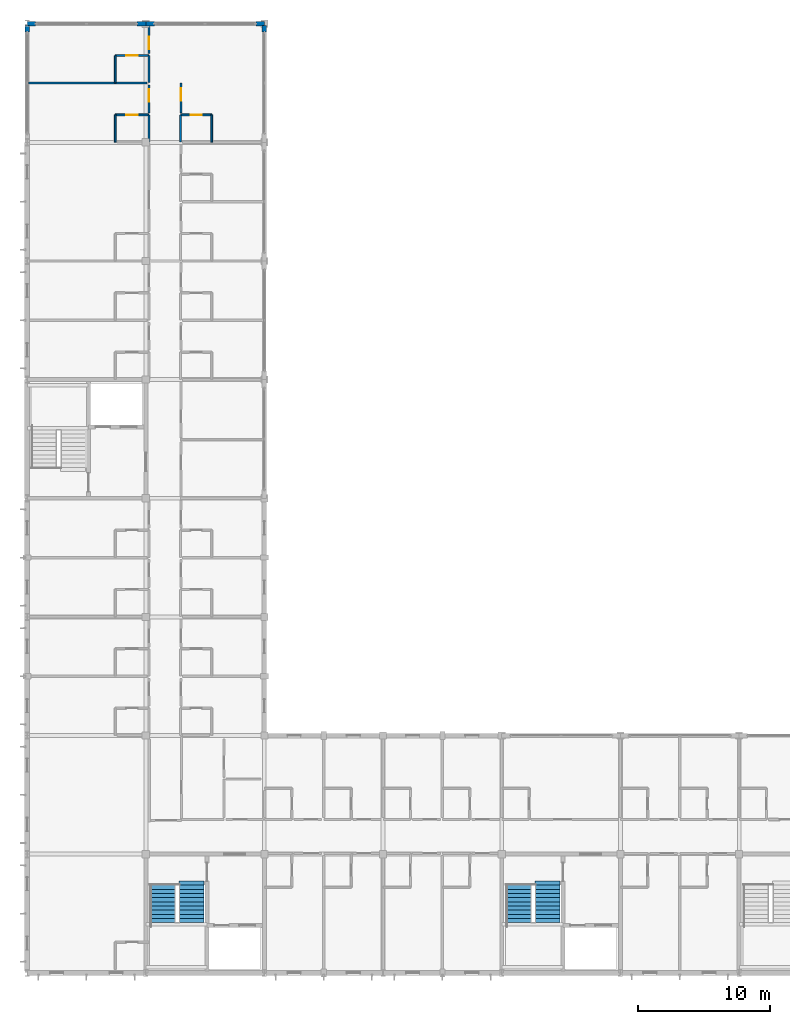
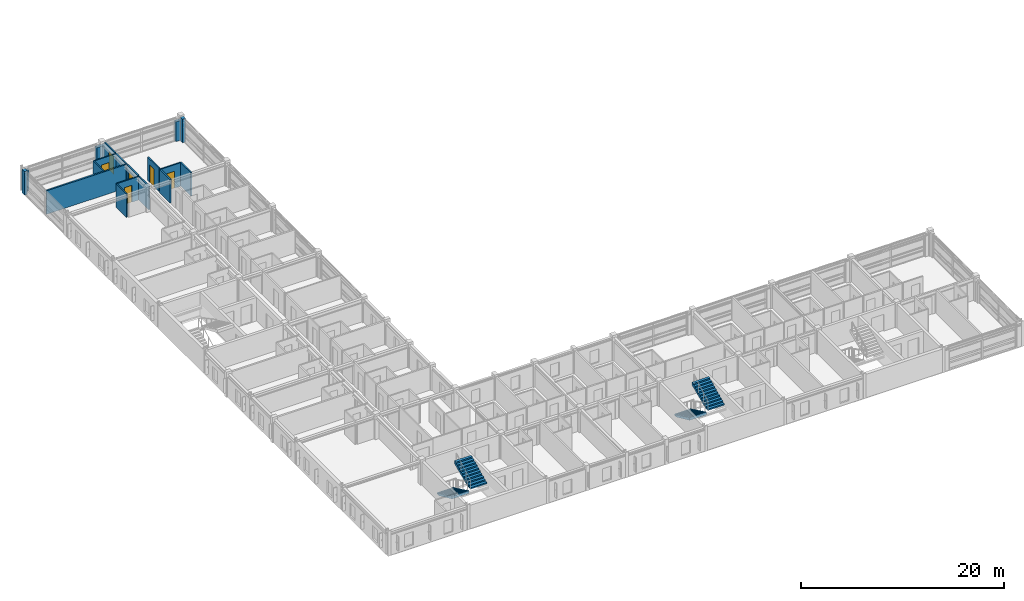
# One storey, part 22 of 30: 19 walls, 6 doors, 4 stair flights, 6 openings, 2 elements without a shape of their own.
"""IFC4 building model written with IfcOpenShell, lengths in metres."""

from ifc_helpers import new_model, si_unit, direction, frame, frame_2d, origin, place, context, subcontext, project, spatial, polyline, rectangle, outline, extrude, material, layer, layer_set, type_object, element, fill, aggregate, save


model = new_model("IFC4")

# Units and contexts
model_context = context("Model", 3, precision=1e-05, world=origin(), true_north=direction((0.0, 1.0)))
body_context = subcontext(model_context, "Body", "Model", "MODEL_VIEW")
ifc_project = project(units=[si_unit("LENGTHUNIT", "METRE"), si_unit("AREAUNIT", "SQUARE_METRE"), si_unit("VOLUMEUNIT", "CUBIC_METRE"), si_unit("PLANEANGLEUNIT", "RADIAN"), si_unit("MASSUNIT", "GRAM", prefix="KILO")], contexts=[model_context])

# Site, building, storey
site_placement = place(None, origin())
site = spatial("IfcSite", under=ifc_project, at=site_placement, CompositionType="ELEMENT")
building_placement = place(site_placement, origin())
building = spatial("IfcBuilding", under=site, at=building_placement, Name="Palais des Congres Ocreval", CompositionType="ELEMENT")
storey_placement = place(building_placement, frame((0.0, 0.0, 14.56005859375)))
storey = spatial("IfcBuildingStorey", under=building, at=storey_placement, Name="L04", CompositionType="ELEMENT", Elevation=14.56005859375)

# Wall, opening, door
ifc_material_1 = material(Name="Moisture-resistant gypsum board")
ifc_layer_1 = layer(ifc_material_1, 0.139892578125)
ifc_layer_set_1 = layer_set([ifc_layer_1], Name="Bathroom Plumbing Chase Wall 140 Gypsum (Moisture-resistant gypsum board)")
wall_type_1 = type_object("IfcWallType", Name="Bathroom Plumbing Chase Wall 140 Gypsum", PredefinedType="PLUMBINGWALL", material=ifc_layer_set_1)
wall_1_placement = place(storey_placement, frame((6.679931640625, 65.080078125, 0.0), z_axis=(0.0, 0.0, 1.0), x_axis=(1.0, 0.0, 0.0)))
wall_1 = element("IfcWall", 1, at=wall_1_placement, inside=storey, type_object=wall_type_1, Name="Bathroom Plumbing Wall PW03 L04", PredefinedType="PLUMBINGWALL", context=body_context, shape_type="SweptSolid", body=[
    extrude(rectangle(XDim=2.56005859375, YDim=0.139892578125, at=frame_2d((1.280029296875, 0.0))), origin(), (0.0, 0.0, 1.0), 2.81982421875),
])
opening_1_placement = place(wall_1_placement, frame((0.85498046875, 0.0, 0.0)))
opening_1 = element("IfcOpeningElement", 2, at=opening_1_placement, cuts=wall_1, Name="Opening D08", PredefinedType="OPENING", context=body_context, shape_type="SweptSolid", body=[
    extrude(rectangle(XDim=0.85009765625, YDim=2.0400390625, at=frame_2d((0.425048828125, 1.02001953125))), frame((0.0, 0.079833984375, 0.0), z_axis=(0.0, -1.0, 0.0), x_axis=(1.0, 0.0, 0.0)), (0.0, 0.0, 1.0), 0.159912109375),
])
ifc_material_2 = material(Name="Solid French oak", Category="wood")
door_type_1 = type_object("IfcDoorType", Name="En-Suite Bathroom Door 850x2040", OperationType="NOTDEFINED", PredefinedType="DOOR", material=ifc_material_2)
door_1_placement = place(opening_1_placement, origin())
door_1 = element("IfcDoor", 3, at=door_1_placement, inside=storey, type_object=door_type_1, Name="En-Suite Bathroom Door D08 L04", OperationType="SINGLE_SWING_RIGHT", OverallHeight=2.0400390625, OverallWidth=0.85009765625, PredefinedType="DOOR", context=body_context, shape_type="SweptSolid", body=[
    extrude(rectangle(XDim=0.85009765625, YDim=2.0400390625, at=frame_2d((0.425048828125, 1.02001953125))), frame((0.0, 0.02490234375, 0.0), z_axis=(0.0, -1.0, 0.0), x_axis=(1.0, 0.0, 0.0)), (0.0, 0.0, 1.0), 0.050048828125),
])
fill(opening_1, door_1)

# Wall
wall_2_placement = place(storey_placement, frame((6.679931640625, 63.02001953125, 0.0), z_axis=(0.0, 0.0, 1.0), x_axis=(0.0, 1.0, 0.0)))
element("IfcWall", 4, at=wall_2_placement, inside=storey, type_object=wall_type_1, Name="Bathroom Plumbing Wall PW03 L04", PredefinedType="PLUMBINGWALL", context=body_context, shape_type="SweptSolid", body=[
    extrude(rectangle(XDim=2.06005859375, YDim=0.139892578125, at=frame_2d((1.030029296875, 0.0))), origin(), (0.0, 0.0, 1.0), 2.81982421875),
])

# Wall, opening, door
wall_3_placement = place(storey_placement, frame((6.679931640625, 69.580078125, 0.0), z_axis=(0.0, 0.0, 1.0), x_axis=(1.0, 0.0, 0.0)))
wall_3 = element("IfcWall", 5, at=wall_3_placement, inside=storey, type_object=wall_type_1, Name="Bathroom Plumbing Wall PW03 L04", PredefinedType="PLUMBINGWALL", context=body_context, shape_type="SweptSolid", body=[
    extrude(rectangle(XDim=2.56005859375, YDim=0.139892578125, at=frame_2d((1.280029296875, 0.0))), origin(), (0.0, 0.0, 1.0), 2.81982421875),
])
opening_2_placement = place(wall_3_placement, frame((0.85498046875, 0.0, 0.0)))
opening_2 = element("IfcOpeningElement", 6, at=opening_2_placement, cuts=wall_3, Name="Opening D08", PredefinedType="OPENING", context=body_context, shape_type="SweptSolid", body=[
    extrude(rectangle(XDim=0.85009765625, YDim=2.0400390625, at=frame_2d((0.425048828125, 1.02001953125))), frame((0.0, 0.079833984375, 0.0), z_axis=(0.0, -1.0, 0.0), x_axis=(1.0, 0.0, 0.0)), (0.0, 0.0, 1.0), 0.159912109375),
])
door_2_placement = place(opening_2_placement, origin())
door_2 = element("IfcDoor", 7, at=door_2_placement, inside=storey, type_object=door_type_1, Name="En-Suite Bathroom Door D08 L04", OperationType="SINGLE_SWING_LEFT", OverallHeight=2.0400390625, OverallWidth=0.85009765625, PredefinedType="DOOR", context=body_context, shape_type="SweptSolid", body=[
    extrude(rectangle(XDim=0.85009765625, YDim=2.0400390625, at=frame_2d((0.425048828125, 1.02001953125))), frame((0.0, 0.02490234375, 0.0), z_axis=(0.0, -1.0, 0.0), x_axis=(1.0, 0.0, 0.0)), (0.0, 0.0, 1.0), 0.050048828125),
])
fill(opening_2, door_2)

# Wall
wall_4_placement = place(storey_placement, frame((6.679931640625, 67.52001953125, 0.0), z_axis=(0.0, 0.0, 1.0), x_axis=(0.0, 1.0, 0.0)))
element("IfcWall", 8, at=wall_4_placement, inside=storey, type_object=wall_type_1, Name="Bathroom Plumbing Wall PW03 L04", PredefinedType="PLUMBINGWALL", context=body_context, shape_type="SweptSolid", body=[
    extrude(rectangle(XDim=2.06005859375, YDim=0.139892578125, at=frame_2d((1.030029296875, 0.0))), origin(), (0.0, 0.0, 1.0), 2.81982421875),
])

# Wall, opening, door
wall_5_placement = place(storey_placement, frame((11.639892578125, 65.080078125, 0.0), z_axis=(0.0, 0.0, 1.0), x_axis=(1.0, 0.0, 0.0)))
wall_5 = element("IfcWall", 9, at=wall_5_placement, inside=storey, type_object=wall_type_1, Name="Bathroom Plumbing Wall PW03 L04", PredefinedType="PLUMBINGWALL", context=body_context, shape_type="SweptSolid", body=[
    extrude(rectangle(XDim=2.360107421875, YDim=0.139892578125, at=frame_2d((1.18017578125, 0.0))), origin(), (0.0, 0.0, 1.0), 2.81982421875),
])
opening_3_placement = place(wall_5_placement, frame((0.7548828125, 0.0, 0.0)))
opening_3 = element("IfcOpeningElement", 10, at=opening_3_placement, cuts=wall_5, Name="Opening D08", PredefinedType="OPENING", context=body_context, shape_type="SweptSolid", body=[
    extrude(rectangle(XDim=0.85009765625, YDim=2.0400390625, at=frame_2d((0.425048828125, 1.02001953125))), frame((0.0, 0.079833984375, 0.0), z_axis=(0.0, -1.0, 0.0), x_axis=(1.0, 0.0, 0.0)), (0.0, 0.0, 1.0), 0.159912109375),
])
door_3_placement = place(opening_3_placement, origin())
door_3 = element("IfcDoor", 11, at=door_3_placement, inside=storey, type_object=door_type_1, Name="En-Suite Bathroom Door D08 L04", OperationType="SINGLE_SWING_RIGHT", OverallHeight=2.0400390625, OverallWidth=0.85009765625, PredefinedType="DOOR", context=body_context, shape_type="SweptSolid", body=[
    extrude(rectangle(XDim=0.85009765625, YDim=2.0400390625, at=frame_2d((0.425048828125, 1.02001953125))), frame((0.0, 0.02490234375, 0.0), z_axis=(0.0, -1.0, 0.0), x_axis=(1.0, 0.0, 0.0)), (0.0, 0.0, 1.0), 0.050048828125),
])
fill(opening_3, door_3)

# Walls
wall_6_placement = place(storey_placement, frame((14.0, 63.02001953125, 0.0), z_axis=(0.0, 0.0, 1.0), x_axis=(0.0, 1.0, 0.0)))
element("IfcWall", 12, at=wall_6_placement, inside=storey, type_object=wall_type_1, Name="Bathroom Plumbing Wall PW03 L04", PredefinedType="PLUMBINGWALL", context=body_context, shape_type="SweptSolid", body=[
    extrude(rectangle(XDim=2.06005859375, YDim=0.139892578125, at=frame_2d((1.030029296875, 0.0))), origin(), (0.0, 0.0, 1.0), 2.81982421875),
])
ifc_material_3 = material(Name="Gypsum acoustic partition")
ifc_layer_2 = layer(ifc_material_3, 0.159912109375)
ifc_layer_set_2 = layer_set([ifc_layer_2], Name="Corridor Fire Partition 160 Gypsum (Gypsum acoustic partition)")
wall_type_2 = type_object("IfcWallType", Name="Corridor Fire Partition 160 Gypsum", PredefinedType="PARTITIONING", material=ifc_layer_set_2)
for number, where, z_axis, x_axis, name in (
    (13, (9.239990234375, 63.02001953125, 0.0), (0.0, 0.0, 1.0), (0.0, 1.0, 0.0), "Corridor Partition IW03 L04"),
    (14, (9.239990234375, 67.52001953125, 0.0), (0.0, 0.0, 1.0), (0.0, 1.0, 0.0), "Corridor Partition IW03 L04"),
    (15, (11.639892578125, 63.02001953125, 0.0), (0.0, 0.0, 1.0), (0.0, 1.0, 0.0), "Corridor Partition IW03 L04"),
):
    element("IfcWall", number, at=place(storey_placement, frame(where, z_axis=z_axis, x_axis=x_axis)), inside=storey, type_object=wall_type_2, Name=name, PredefinedType="PARTITIONING", context=body_context, shape_type="SweptSolid", body=[
        extrude(rectangle(XDim=2.06005859375, YDim=0.159912109375, at=frame_2d((1.030029296875, 0.0))), origin(), (0.0, 0.0, 1.0), 2.81982421875),
    ])

# Wall, opening, door
wall_7_placement = place(storey_placement, frame((9.25, 65.235107421875, 0.0), z_axis=(0.0, 0.0, 1.0), x_axis=(0.0, 1.0, 0.0)))
wall_7 = element("IfcWall", 16, at=wall_7_placement, inside=storey, type_object=wall_type_2, Name="Interior Partition IW03 L04", PredefinedType="PARTITIONING", context=body_context, shape_type="SweptSolid", body=[
    extrude(rectangle(XDim=2.10986328125, YDim=0.159912109375, at=frame_2d((1.054931640625, 0.0))), origin(), (0.0, 0.0, 1.0), 2.81982421875),
])
opening_4_placement = place(wall_7_placement, frame((0.833251953125, 0.0, 0.0)))
opening_4 = element("IfcOpeningElement", 17, at=opening_4_placement, cuts=wall_7, Name="Opening D05", PredefinedType="OPENING", context=body_context, shape_type="SweptSolid", body=[
    extrude(rectangle(XDim=0.949951171875, YDim=2.14990234375, at=frame_2d((0.47509765625, 1.074951171875))), frame((0.0, 0.08984375, 0.0), z_axis=(0.0, -1.0, 0.0), x_axis=(1.0, 0.0, 0.0)), (0.0, 0.0, 1.0), 0.179931640625),
])
door_type_2 = type_object("IfcDoorType", Name="Hotel Guestroom Entrance Door 950x2150", OperationType="NOTDEFINED", PredefinedType="DOOR", material=ifc_material_2)
door_4_placement = place(opening_4_placement, origin())
door_4 = element("IfcDoor", 18, at=door_4_placement, inside=storey, type_object=door_type_2, Name="Interior Door D05 L04", OperationType="SINGLE_SWING_LEFT", OverallHeight=2.14990234375, OverallWidth=0.949951171875, PredefinedType="DOOR", context=body_context, shape_type="SweptSolid", body=[
    extrude(rectangle(XDim=0.949951171875, YDim=2.14990234375, at=frame_2d((0.47509765625, 1.074951171875))), frame((0.0, 0.02490234375, 0.0), z_axis=(0.0, -1.0, 0.0), x_axis=(1.0, 0.0, 0.0)), (0.0, 0.0, 1.0), 0.050048828125),
])
fill(opening_4, door_4)

wall_8_placement = place(storey_placement, frame((9.25, 69.735107421875, 0.0), z_axis=(0.0, 0.0, 1.0), x_axis=(0.0, 1.0, 0.0)))
wall_8 = element("IfcWall", 19, at=wall_8_placement, inside=storey, type_object=wall_type_2, Name="Interior Partition IW03 L04", PredefinedType="PARTITIONING", context=body_context, shape_type="SweptSolid", body=[
    extrude(rectangle(XDim=2.08984375, YDim=0.159912109375, at=frame_2d((1.044921875, 0.0))), origin(), (0.0, 0.0, 1.0), 2.81982421875),
])
opening_5_placement = place(wall_8_placement, frame((0.319091796875, 0.0, 0.0)))
opening_5 = element("IfcOpeningElement", 20, at=opening_5_placement, cuts=wall_8, Name="Opening D05", PredefinedType="OPENING", context=body_context, shape_type="SweptSolid", body=[
    extrude(rectangle(XDim=0.949951171875, YDim=2.14990234375, at=frame_2d((0.47509765625, 1.074951171875))), frame((0.0, 0.08984375, 0.0), z_axis=(0.0, -1.0, 0.0), x_axis=(1.0, 0.0, 0.0)), (0.0, 0.0, 1.0), 0.179931640625),
])
door_5_placement = place(opening_5_placement, origin())
door_5 = element("IfcDoor", 21, at=door_5_placement, inside=storey, type_object=door_type_2, Name="Interior Door D05 L04", OperationType="SINGLE_SWING_RIGHT", OverallHeight=2.14990234375, OverallWidth=0.949951171875, PredefinedType="DOOR", context=body_context, shape_type="SweptSolid", body=[
    extrude(rectangle(XDim=0.949951171875, YDim=2.14990234375, at=frame_2d((0.47509765625, 1.074951171875))), frame((0.0, 0.02490234375, 0.0), z_axis=(0.0, -1.0, 0.0), x_axis=(1.0, 0.0, 0.0)), (0.0, 0.0, 1.0), 0.050048828125),
])
fill(opening_5, door_5)

wall_9_placement = place(storey_placement, frame((11.669921875, 65.235107421875, 0.0), z_axis=(0.0, 0.0, 1.0), x_axis=(0.0, 1.0, 0.0)))
wall_9 = element("IfcWall", 22, at=wall_9_placement, inside=storey, type_object=wall_type_2, Name="Interior Partition IW03 L04", PredefinedType="PARTITIONING", context=body_context, shape_type="SweptSolid", body=[
    extrude(rectangle(XDim=2.244873046875, YDim=0.159912109375, at=frame_2d((1.12255859375, 0.0))), origin(), (0.0, 0.0, 1.0), 2.81982421875),
])
opening_6_placement = place(wall_9_placement, frame((0.9169921875, 0.0, 0.0)))
opening_6 = element("IfcOpeningElement", 23, at=opening_6_placement, cuts=wall_9, Name="Opening D05", PredefinedType="OPENING", context=body_context, shape_type="SweptSolid", body=[
    extrude(rectangle(XDim=0.949951171875, YDim=2.14990234375, at=frame_2d((0.47509765625, 1.074951171875))), frame((0.0, 0.08984375, 0.0), z_axis=(0.0, -1.0, 0.0), x_axis=(1.0, 0.0, 0.0)), (0.0, 0.0, 1.0), 0.179931640625),
])
door_6_placement = place(opening_6_placement, origin())
door_6 = element("IfcDoor", 24, at=door_6_placement, inside=storey, type_object=door_type_2, Name="Interior Door D05 L04", OperationType="SINGLE_SWING_LEFT", OverallHeight=2.14990234375, OverallWidth=0.949951171875, PredefinedType="DOOR", context=body_context, shape_type="SweptSolid", body=[
    extrude(rectangle(XDim=0.949951171875, YDim=2.14990234375, at=frame_2d((0.47509765625, 1.074951171875))), frame((0.0, 0.02490234375, 0.0), z_axis=(0.0, -1.0, 0.0), x_axis=(1.0, 0.0, 0.0)), (0.0, 0.0, 1.0), 0.050048828125),
])
fill(opening_6, door_6)

# Walls
ifc_layer_3 = layer(ifc_material_3, 0.179931640625)
ifc_layer_set_3 = layer_set([ifc_layer_3], Name="Hotel Inter-Room Acoustic Partition 180 Gypsum (Gypsum acoustic partition)")
wall_type_3 = type_object("IfcWallType", Name="Hotel Inter-Room Acoustic Partition 180 Gypsum", PredefinedType="PARTITIONING", material=ifc_layer_set_3)
wall_10_placement = place(storey_placement, frame((0.094970703125, 67.5, 0.0), z_axis=(0.0, 0.0, 1.0), x_axis=(1.0, 0.0, 0.0)))
element("IfcWall", 25, at=wall_10_placement, inside=storey, type_object=wall_type_3, Name="Hotel Party Partition IW02 L04", PredefinedType="PARTITIONING", context=body_context, shape_type="SweptSolid", body=[
    extrude(rectangle(XDim=8.989990234375, YDim=0.179931640625, at=frame_2d((4.4951171875, 0.0))), origin(), (0.0, 0.0, 1.0), 2.81982421875),
])
ifc_material_4 = material(Name="Concrete C40/50", Category="concrete")
ifc_layer_4 = layer(ifc_material_4, 0.340087890625)
ifc_layer_set_4 = layer_set([ifc_layer_4], Name="Ochre Mineral-Lime Courtyard Wall 340 Concrete C40/50")
wall_type_4 = type_object("IfcWallType", Name="Ochre Mineral-Lime Courtyard Wall 340 Concrete C40/50", PredefinedType="SOLIDWALL", material=ifc_layer_set_4)
wall_11_placement = place(storey_placement, frame((0.0, 71.35009765625, 0.0), z_axis=(0.0, 0.0, 1.0), x_axis=(0.0, 1.0, 0.0)))
element("IfcWall", 26, at=wall_11_placement, inside=storey, type_object=wall_type_4, Name="Facade Pier EW04 L04", PredefinedType="SOLIDWALL", context=body_context, shape_type="SweptSolid", body=[
    extrude(rectangle(XDim=0.494873046875, YDim=0.340087890625, at=frame_2d((0.24755859375, 0.0))), origin(), (0.0, 0.0, 1.0), 2.81982421875),
])
for number, where, z_axis, x_axis, name in (
    (27, (0.0, 72.0, 0.0), (0.0, 0.0, 1.0), (1.0, 0.0, 0.0), "Facade Pier EW04 L04"),
    (28, (8.35009765625, 72.0, 0.0), (0.0, 0.0, 1.0), (1.0, 0.0, 0.0), "Facade Pier EW04 L04"),
):
    element("IfcWall", number, at=place(storey_placement, frame(where, z_axis=z_axis, x_axis=x_axis)), inside=storey, type_object=wall_type_4, Name=name, PredefinedType="SOLIDWALL", context=body_context, shape_type="SweptSolid", body=[
        extrude(rectangle(XDim=0.64990234375, YDim=0.340087890625, at=frame_2d((0.324951171875, 0.0))), origin(), (0.0, 0.0, 1.0), 2.419921875),
    ])
for number, where, z_axis, x_axis, name in (
    (29, (9.0, 72.0, 0.0), (0.0, 0.0, 1.0), (1.0, 0.0, 0.0), "Facade Pier EW04 L04"),
    (30, (17.35009765625, 72.0, 0.0), (0.0, 0.0, 1.0), (1.0, 0.0, 0.0), "Facade Pier EW04 L04"),
):
    element("IfcWall", number, at=place(storey_placement, frame(where, z_axis=z_axis, x_axis=x_axis)), inside=storey, type_object=wall_type_4, Name=name, PredefinedType="SOLIDWALL", context=body_context, shape_type="SweptSolid", body=[
        extrude(rectangle(XDim=0.64990234375, YDim=0.340087890625, at=frame_2d((0.324951171875, 0.0))), origin(), (0.0, 0.0, 1.0), 2.3798828125),
    ])
wall_12_placement = place(storey_placement, frame((18.0, 71.844970703125, 0.0), z_axis=(0.0, 0.0, 1.0), x_axis=(0.0, -1.0, 0.0)))
element("IfcWall", 31, at=wall_12_placement, inside=storey, type_object=wall_type_4, Name="Facade Pier EW04 L04", PredefinedType="SOLIDWALL", context=body_context, shape_type="SweptSolid", body=[
    extrude(rectangle(XDim=0.494873046875, YDim=0.340087890625, at=frame_2d((0.24755859375, 0.0))), origin(), (0.0, 0.0, 1.0), 2.81982421875),
])

# Stair, stair flights
stair_type = type_object("IfcStairType", Name="Hotel Core Stair L03-L06 1900 Concrete C40/50", PredefinedType="HALF_TURN_STAIR", material=ifc_material_4)
stair_1_placement = place(storey_placement, origin())
stair_1 = element("IfcStair", 32, at=stair_1_placement, inside=storey, type_object=stair_type, Name="Protected Core Stair ST01 L04", PredefinedType="HALF_TURN_STAIR")
stair_flight_type = type_object("IfcStairFlightType", Name="Hotel Stair Flight 10R x 152/295 W1900 Concrete C40/50", PredefinedType="STRAIGHT", material=ifc_material_4)
stair_flight_1_placement = place(storey_placement, frame((10.320068359375, 6.64990234375, 0.0), z_axis=(0.0, 0.0, 1.0), x_axis=(0.0, -1.0, 0.0)))
stair_flight_1 = element("IfcStairFlight", 33, at=stair_flight_1_placement, type_object=stair_flight_type, Name="Stair ST01 L04 Flight 1", NumberOfRisers=10, NumberOfTreads=9, PredefinedType="STRAIGHT", RiserHeight=0.152, TreadLength=0.315, context=body_context, shape_type="SweptSolid", body=[
    extrude(outline(polyline([(-0.006103515625, 0.0), (-0.006103515625, 0.075927734375), (0.0, 0.152099609375), (0.31494140625, 0.152099609375), (0.31494140625, 0.303955078125), (0.6298828125, 0.303955078125), (0.6298828125, 0.4560546875), (0.945068359375, 0.4560546875), (0.945068359375, 0.60791015625), (1.260009765625, 0.60791015625), (1.260009765625, 0.760009765625), (1.574951171875, 0.760009765625), (1.574951171875, 0.912109375), (1.889892578125, 0.912109375), (1.889892578125, 1.06396484375), (2.205078125, 1.06396484375), (2.205078125, 1.216064453125), (2.52001953125, 1.216064453125), (2.52001953125, 1.367919921875), (2.8349609375, 1.367919921875), (2.8349609375, 1.52001953125), (2.9951171875, 1.52001953125), (2.9951171875, 1.1904296875), (0.367919921875, 0.0), (-0.006103515625, 0.0)])), frame((0.0, 0.949951171875, 0.0), z_axis=(0.0, -1.0, 0.0), x_axis=(1.0, 0.0, 0.0)), (0.0, 0.0, 1.0), 1.89990234375),
])
stair_flight_2_placement = place(storey_placement, frame((12.47998046875, 3.81494140625, 1.52001953125), z_axis=(0.0, 0.0, 1.0), x_axis=(0.0, 1.0, 0.0)))
stair_flight_2 = element("IfcStairFlight", 34, at=stair_flight_2_placement, type_object=stair_flight_type, Name="Stair ST01 L04 Flight 2", NumberOfRisers=10, NumberOfTreads=9, PredefinedType="STRAIGHT", RiserHeight=0.152, TreadLength=0.315, context=body_context, shape_type="SweptSolid", body=[
    extrude(outline(polyline([(-0.006103515625, 0.0), (-0.006103515625, 0.075927734375), (0.0, 0.152099609375), (0.31494140625, 0.152099609375), (0.31494140625, 0.303955078125), (0.6298828125, 0.303955078125), (0.6298828125, 0.4560546875), (0.945068359375, 0.4560546875), (0.945068359375, 0.60791015625), (1.260009765625, 0.60791015625), (1.260009765625, 0.760009765625), (1.574951171875, 0.760009765625), (1.574951171875, 0.912109375), (1.889892578125, 0.912109375), (1.889892578125, 1.06396484375), (2.205078125, 1.06396484375), (2.205078125, 1.216064453125), (2.52001953125, 1.216064453125), (2.52001953125, 1.367919921875), (2.8349609375, 1.367919921875), (2.8349609375, 1.52001953125), (3.14990234375, 1.52001953125), (3.14990234375, 1.1904296875), (0.367919921875, 0.0), (-0.006103515625, 0.0)])), frame((0.0, 0.949951171875, 0.0), z_axis=(0.0, -1.0, 0.0), x_axis=(1.0, 0.0, 0.0)), (0.0, 0.0, 1.0), 1.89990234375),
])
aggregate(stair_1, [stair_flight_1, stair_flight_2])

stair_2_placement = place(storey_placement, origin())
stair_2 = element("IfcStair", 35, at=stair_2_placement, inside=storey, type_object=stair_type, Name="Protected Core Stair ST02 L04", PredefinedType="HALF_TURN_STAIR")
stair_flight_3_placement = place(storey_placement, frame((37.320068359375, 6.64990234375, 0.0), z_axis=(0.0, 0.0, 1.0), x_axis=(0.0, -1.0, 0.0)))
stair_flight_3 = element("IfcStairFlight", 36, at=stair_flight_3_placement, type_object=stair_flight_type, Name="Stair ST02 L04 Flight 1", NumberOfRisers=10, NumberOfTreads=9, PredefinedType="STRAIGHT", RiserHeight=0.152, TreadLength=0.315, context=body_context, shape_type="SweptSolid", body=[
    extrude(outline(polyline([(-0.006103515625, 0.0), (-0.006103515625, 0.075927734375), (0.0, 0.152099609375), (0.31494140625, 0.152099609375), (0.31494140625, 0.303955078125), (0.6298828125, 0.303955078125), (0.6298828125, 0.4560546875), (0.945068359375, 0.4560546875), (0.945068359375, 0.60791015625), (1.260009765625, 0.60791015625), (1.260009765625, 0.760009765625), (1.574951171875, 0.760009765625), (1.574951171875, 0.912109375), (1.889892578125, 0.912109375), (1.889892578125, 1.06396484375), (2.205078125, 1.06396484375), (2.205078125, 1.216064453125), (2.52001953125, 1.216064453125), (2.52001953125, 1.367919921875), (2.8349609375, 1.367919921875), (2.8349609375, 1.52001953125), (2.9951171875, 1.52001953125), (2.9951171875, 1.1904296875), (0.367919921875, 0.0), (-0.006103515625, 0.0)])), frame((0.0, 0.949951171875, 0.0), z_axis=(0.0, -1.0, 0.0), x_axis=(1.0, 0.0, 0.0)), (0.0, 0.0, 1.0), 1.89990234375),
])
stair_flight_4_placement = place(storey_placement, frame((39.47998046875, 3.81494140625, 1.52001953125), z_axis=(0.0, 0.0, 1.0), x_axis=(0.0, 1.0, 0.0)))
stair_flight_4 = element("IfcStairFlight", 37, at=stair_flight_4_placement, type_object=stair_flight_type, Name="Stair ST02 L04 Flight 2", NumberOfRisers=10, NumberOfTreads=9, PredefinedType="STRAIGHT", RiserHeight=0.152, TreadLength=0.315, context=body_context, shape_type="SweptSolid", body=[
    extrude(outline(polyline([(-0.006103515625, 0.0), (-0.006103515625, 0.075927734375), (0.0, 0.152099609375), (0.31494140625, 0.152099609375), (0.31494140625, 0.303955078125), (0.6298828125, 0.303955078125), (0.6298828125, 0.4560546875), (0.945068359375, 0.4560546875), (0.945068359375, 0.60791015625), (1.260009765625, 0.60791015625), (1.260009765625, 0.760009765625), (1.574951171875, 0.760009765625), (1.574951171875, 0.912109375), (1.889892578125, 0.912109375), (1.889892578125, 1.06396484375), (2.205078125, 1.06396484375), (2.205078125, 1.216064453125), (2.52001953125, 1.216064453125), (2.52001953125, 1.367919921875), (2.8349609375, 1.367919921875), (2.8349609375, 1.52001953125), (3.14990234375, 1.52001953125), (3.14990234375, 1.1904296875), (0.367919921875, 0.0), (-0.006103515625, 0.0)])), frame((0.0, 0.949951171875, 0.0), z_axis=(0.0, -1.0, 0.0), x_axis=(1.0, 0.0, 0.0)), (0.0, 0.0, 1.0), 1.89990234375),
])
aggregate(stair_2, [stair_flight_3, stair_flight_4])

save(model, "model.ifc")
